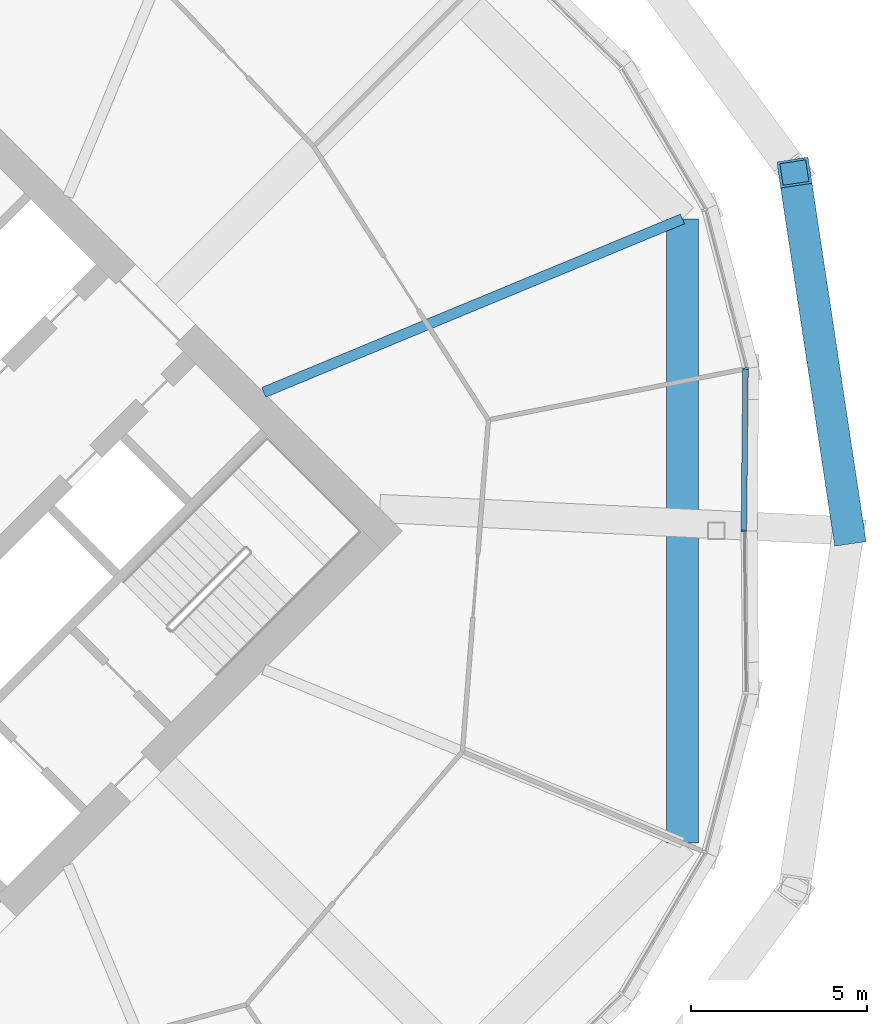
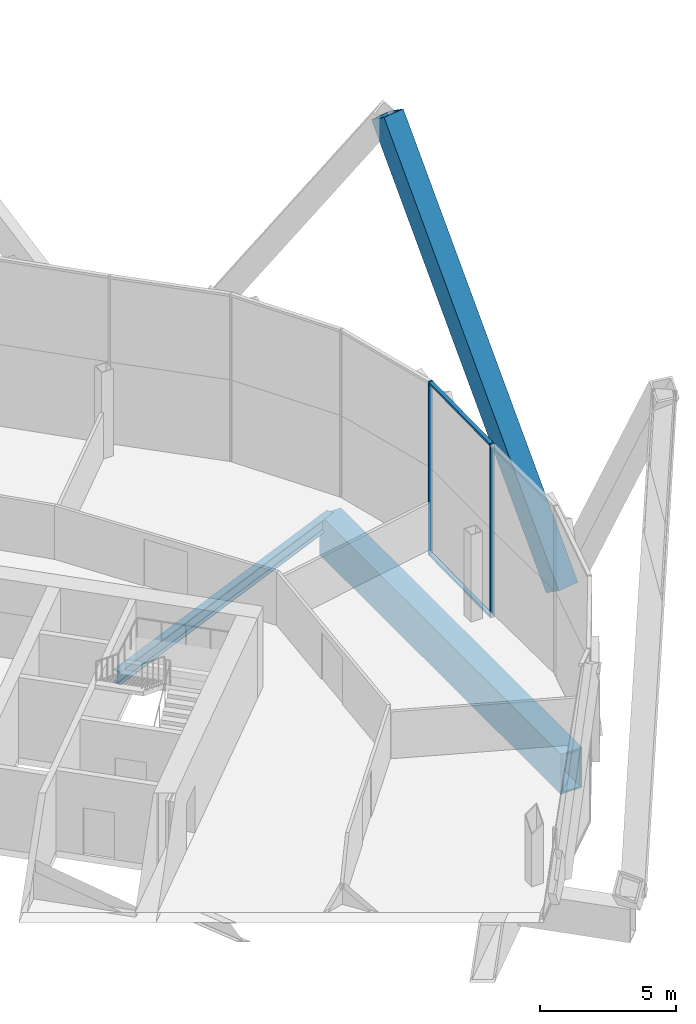
# One storey, part 15 of 28: 5 members, 2 beams, 1 element without a shape of its own.
"""IFC4 building model written with IfcOpenShell, lengths in metres."""

from ifc_helpers import new_model, si_unit, direction, frame, origin, origin_2d, place, context, subcontext, project, spatial, rectangle, hollow_rectangle, i_section, extrude, material, material_profile, profile_set, type_object, element, aggregate, save


model = new_model("IFC4")

# Units and contexts
model_context = context("Model", 3, precision=1e-05, world=origin(), true_north=direction((0.0, 1.0)))
body_context = subcontext(model_context, "Body", "Model", "MODEL_VIEW")
ifc_project = project(units=[si_unit("LENGTHUNIT", "METRE"), si_unit("AREAUNIT", "SQUARE_METRE"), si_unit("VOLUMEUNIT", "CUBIC_METRE"), si_unit("PLANEANGLEUNIT", "RADIAN"), si_unit("MASSUNIT", "GRAM", prefix="KILO")], contexts=[model_context])

# Site, building, storey
site_placement = place(None, origin())
site = spatial("IfcSite", under=ifc_project, at=site_placement, CompositionType="ELEMENT")
building_placement = place(site_placement, origin())
building = spatial("IfcBuilding", under=site, at=building_placement, Name="Ogive Gate Towers", CompositionType="ELEMENT")
storey_placement = place(building_placement, frame((0.0, 0.0, 115.199951171875)))
storey = spatial("IfcBuildingStorey", under=building, at=storey_placement, Name="L27", CompositionType="ELEMENT", Elevation=115.199951171875)

# Member
ifc_material_1 = material(Name="Steel SM460", Category="steel")
ifc_material_profile_1 = material_profile(ifc_material_1, hollow_rectangle(XDim=0.89990234375, YDim=0.89990234375, WallThickness=0.080078125, at=origin_2d()), Name="BX 900x900x80")
ifc_profile_set_1 = profile_set([ifc_material_profile_1], Name="Steel SM460")
member_type_1 = type_object("IfcMemberType", Name="Diagrid diagonal BX 900x900x80", PredefinedType="BRACE", material=ifc_profile_set_1)
member_1_placement = place(storey_placement, frame((62.110107421875, 0.0, 0.0), z_axis=(-0.082121961007, 0.544627829519, 0.834647536889), x_axis=(-0.988822121876, -0.149100004323, 0.0)))
element("IfcMember", 1, at=member_1_placement, inside=storey, type_object=member_type_1, Name="T2/L27/SDG002", PredefinedType="BRACE", context=body_context, shape_type="SweptSolid", body=[
    extrude(hollow_rectangle(XDim=0.89990234375, YDim=0.89990234375, WallThickness=0.080078125, at=origin_2d()), origin(), (0.0, 0.0, 1.0), 18.690673828125),
])

# Beams
ifc_material_profile_2 = material_profile(ifc_material_1, hollow_rectangle(XDim=0.89990234375, YDim=1.800048828125, WallThickness=0.080078125, at=origin_2d()), Name="BX 1800x900x80")
ifc_profile_set_2 = profile_set([ifc_material_profile_2], Name="Steel SM460")
beam_type_1 = type_object("IfcBeamType", Name="Edge girder BX 1800x900x80", PredefinedType="BEAM", material=ifc_profile_set_2)
beam_1_placement = place(storey_placement, frame((57.39697265625, -8.863037109375, -1.199951171875), z_axis=(0.0, 1.0, 0.0), x_axis=(-1.0, 0.0, 0.0)))
element("IfcBeam", 2, at=beam_1_placement, inside=storey, type_object=beam_type_1, Name="T2/L27/SBM020", PredefinedType="BEAM", context=body_context, shape_type="SweptSolid", body=[
    extrude(hollow_rectangle(XDim=0.89990234375, YDim=1.800048828125, WallThickness=0.080078125, at=origin_2d()), origin(), (0.0, 0.0, 1.0), 17.72607421875),
])
ifc_material_2 = material(Name="Steel SM355", Category="steel")
ifc_material_profile_3 = material_profile(ifc_material_2, i_section(OverallWidth=0.300048828125, OverallDepth=0.590087890625, WebThickness=0.012939453125, FlangeThickness=0.02490234375, FilletRadius=0.027099609375, at=origin_2d()), Name="HE 600 A")
ifc_profile_set_3 = profile_set([ifc_material_profile_3], Name="Steel SM355")
beam_type_2 = type_object("IfcBeamType", Name="Radial floor beam HE 600 A", PredefinedType="BEAM", material=ifc_profile_set_3)
beam_2_placement = place(storey_placement, frame((45.5, 3.93505859375, -0.594970703125), z_axis=(0.923877031545, 0.382689470177, 0.0), x_axis=(-0.382689470177, 0.923877031545, 0.0)))
element("IfcBeam", 3, at=beam_2_placement, inside=storey, type_object=beam_type_2, Name="T2/L27/SBM009", PredefinedType="BEAM", context=body_context, shape_type="SweptSolid", body=[
    extrude(i_section(OverallWidth=0.300048828125, OverallDepth=0.590087890625, WebThickness=0.012939453125, FlangeThickness=0.02490234375, FilletRadius=0.027099609375, at=origin_2d()), origin(), (0.0, 0.0, 1.0), 12.877197265625),
])

# Curtain wall, members
ifc_material_3 = material(Name="Pale metal aluminium", Category="aluminium")
curtain_wall_type = type_object("IfcCurtainWallType", Name="Tower unitised wall, low zone", PredefinedType="NOTDEFINED", material=ifc_material_3)
curtain_wall_placement = place(storey_placement, origin())
curtain_wall = element("IfcCurtainWall", 4, at=curtain_wall_placement, inside=storey, type_object=curtain_wall_type, Name="CW1 T2 ECW01", PredefinedType="NOTDEFINED")
ifc_material_profile_4 = material_profile(ifc_material_3, rectangle(XDim=0.159912109375, YDim=0.06005859375, at=origin_2d()), Name="60 x 160 aluminium box")
ifc_profile_set_4 = profile_set([ifc_material_profile_4], Name="Pale metal aluminium")
member_type_2 = type_object("IfcMemberType", Name="Tower unitised wall, low zone mullion 60 x 160", PredefinedType="MULLION", material=ifc_profile_set_4)
member_2_placement = place(storey_placement, frame((59.139892578125, 0.000244140625, -0.300048828125), z_axis=(0.0, 0.0, 1.0), x_axis=(0.999947161375, -0.010279808233, 0.0)))
member_2 = element("IfcMember", 5, at=member_2_placement, type_object=member_type_2, Name="CW1 mullion", PredefinedType="MULLION", context=body_context, shape_type="SweptSolid", body=[
    extrude(rectangle(XDim=0.159912109375, YDim=0.06005859375, at=origin_2d()), origin(), (0.0, 0.0, 1.0), 7.800048828125),
])
member_3_placement = place(storey_placement, frame((59.1875, 4.606201171875, -0.300048828125), z_axis=(0.0, 0.0, 1.0), x_axis=(0.992727957326, 0.120379411626, 0.0)))
member_3 = element("IfcMember", 6, at=member_3_placement, type_object=member_type_2, Name="CW1 mullion", PredefinedType="MULLION", context=body_context, shape_type="SweptSolid", body=[
    extrude(rectangle(XDim=0.159912109375, YDim=0.06005859375, at=origin_2d()), origin(), (0.0, 0.0, 1.0), 7.800048828125),
])
ifc_material_profile_5 = material_profile(ifc_material_3, rectangle(XDim=0.159912109375, YDim=0.10009765625, at=origin_2d()), Name="100 x 160 aluminium box")
ifc_profile_set_5 = profile_set([ifc_material_profile_5], Name="Pale metal aluminium")
member_type_3 = type_object("IfcMemberType", Name="Tower unitised wall, low zone transom 100 x 160", PredefinedType="USERDEFINED", material=ifc_profile_set_5)
member_4_placement = place(storey_placement, frame((59.140380859375, 0.0302734375, 7.449951171875), z_axis=(0.010251742504, 0.999947449507, 0.0), x_axis=(-0.999947449507, 0.010251742504, 0.0)))
member_4 = element("IfcMember", 7, at=member_4_placement, type_object=member_type_3, Name="CW1 transom", ObjectType="TRANSOM", PredefinedType="USERDEFINED", context=body_context, shape_type="SweptSolid", body=[
    extrude(rectangle(XDim=0.159912109375, YDim=0.10009765625, at=origin_2d()), origin(), (0.0, 0.0, 1.0), 4.548583984375),
])
member_5_placement = place(storey_placement, frame((59.140380859375, 0.0302734375, -0.25), z_axis=(0.010251742504, 0.999947449507, 0.0), x_axis=(-0.999947449507, 0.010251742504, 0.0)))
member_5 = element("IfcMember", 8, at=member_5_placement, type_object=member_type_3, Name="CW1 transom", ObjectType="TRANSOM", PredefinedType="USERDEFINED", context=body_context, shape_type="SweptSolid", body=[
    extrude(rectangle(XDim=0.159912109375, YDim=0.10009765625, at=origin_2d()), origin(), (0.0, 0.0, 1.0), 4.548583984375),
])
aggregate(curtain_wall, [member_2, member_3, member_4, member_5])

save(model, "model.ifc")
